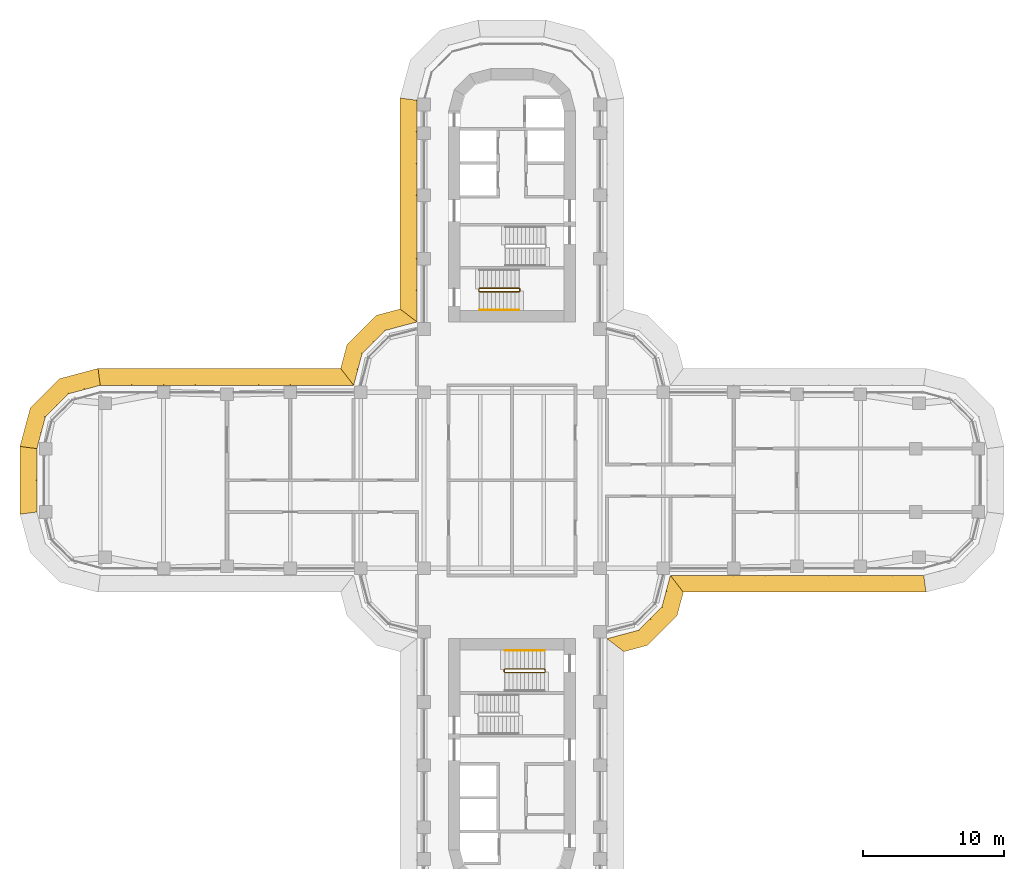
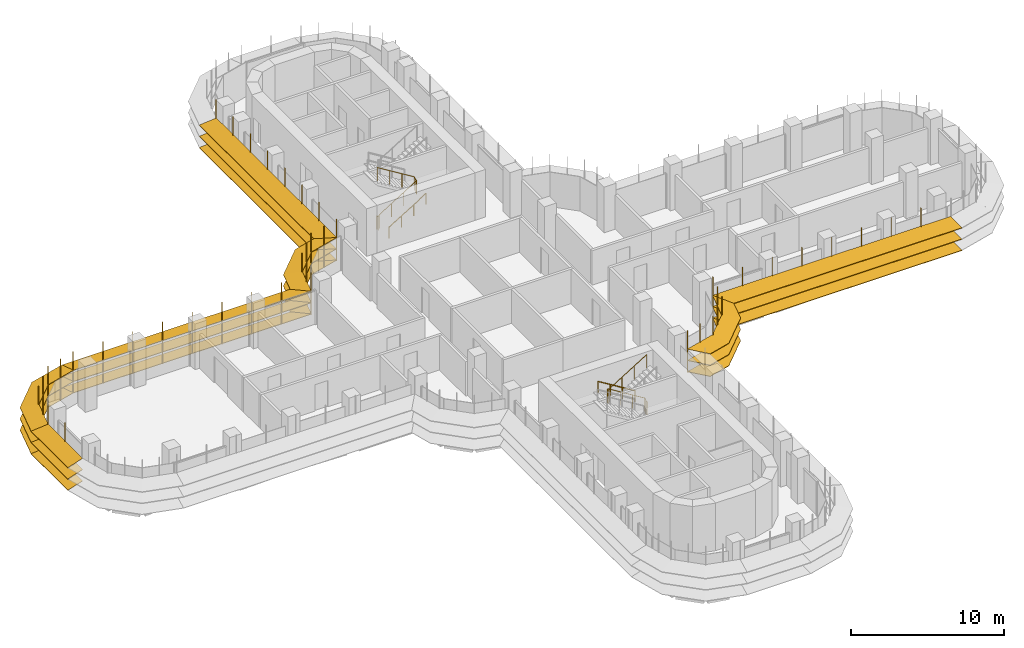
# One storey, part 20 of 22: 7 shading devices, 4 railings.
"""IFC4 building model written with IfcOpenShell, lengths in metres."""

from ifc_helpers import new_model, si_unit, direction, frame, origin, origin_2d, place, context, subcontext, project, spatial, polyline, circle, outline, extrude, faceted_brep, source, transform, mapped, material, type_object, element, save


model = new_model("IFC4")

# Units and contexts
model_context = context("Model", 3, precision=1e-05, world=origin(), true_north=direction((0.0, 1.0)))
body_context = subcontext(model_context, "Body", "Model", "MODEL_VIEW")
ifc_project = project(units=[si_unit("LENGTHUNIT", "METRE"), si_unit("AREAUNIT", "SQUARE_METRE"), si_unit("VOLUMEUNIT", "CUBIC_METRE"), si_unit("PLANEANGLEUNIT", "RADIAN"), si_unit("MASSUNIT", "GRAM", prefix="KILO")], contexts=[model_context])

# Site, building, storey
site_placement = place(None, origin())
site = spatial("IfcSite", under=ifc_project, at=site_placement, CompositionType="ELEMENT")
building_placement = place(site_placement, origin())
building = spatial("IfcBuilding", under=site, at=building_placement, Name="Zarbagh Exchange Tower", CompositionType="ELEMENT")
storey_placement = place(building_placement, frame((0.0, 0.0, 113.199951171875)))
storey = spatial("IfcBuildingStorey", under=building, at=storey_placement, Name="L26", CompositionType="ELEMENT", Elevation=113.199951171875)

# Railings
ifc_material_1 = material(Name="Stainless steel", Category="steel")
railing_type_1 = type_object("IfcRailingType", Name="Stair guard 1100 mm", PredefinedType="GUARDRAIL", material=ifc_material_1)
railing_1_placement = place(storey_placement, frame((-2.35009765625, 13.60009765625, 0.0)))
element("IfcRailing", 1, at=railing_1_placement, inside=storey, type_object=railing_type_1, Name="ST2 stair guard 1", PredefinedType="GUARDRAIL", context=body_context, shape_type="SweptSolid", body=[
    extrude(circle(Radius=0.02392578125, at=origin_2d()), frame((0.0, 0.0, 1.076171875), z_axis=(0.0, -1.0, 0.0), x_axis=(1.0, 0.0, 0.0)), (0.0, 0.0, 1.0), 0.150146484375),
    extrude(circle(Radius=0.02392578125, at=origin_2d()), frame((0.0, -0.150146484375, 1.076171875), z_axis=(0.267953482034, -0.267953482034, 0.925419830635), x_axis=(0.707106781187, 0.707106781187, 0.0)), (0.0, 0.0, 1.0), 0.186767578125),
    extrude(circle(Radius=0.02392578125, at=origin_2d()), frame((0.050048828125, -0.2001953125, 1.2490234375), z_axis=(0.851089632645, 0.0, 0.525020415988), x_axis=(0.0, 1.0, 0.0)), (0.0, 0.0, 1.0), 3.2900390625),
    extrude(circle(Radius=0.02392578125, at=origin_2d()), frame((2.85009765625, -0.2001953125, 2.97607421875), z_axis=(0.707106781187, 0.707106781187, 0.0), x_axis=(-0.707106781187, 0.707106781187, 0.0)), (0.0, 0.0, 1.0), 0.07080078125),
    extrude(circle(Radius=0.02392578125, at=origin_2d()), frame((2.900146484375, -0.150146484375, 2.97607421875), z_axis=(0.0, 1.0, 0.0), x_axis=(-1.0, 0.0, 0.0)), (0.0, 0.0, 1.0), 0.150146484375),
    extrude(circle(Radius=0.02392578125, at=origin_2d()), frame((2.900146484375, 0.0, 2.97607421875), z_axis=(-0.268371968888, 0.267062837333, 0.925556009775), x_axis=(-0.705375805398, -0.708833529934, 0.0)), (0.0, 0.0, 1.0), 0.1865234375),
    extrude(circle(Radius=0.02392578125, at=origin_2d()), frame((2.85009765625, 0.0498046875, 3.14892578125), z_axis=(-0.851089632645, 0.0, 0.525020415988), x_axis=(0.0, -1.0, 0.0)), (0.0, 0.0, 1.0), 3.2900390625),
    extrude(circle(Radius=0.02099609375, at=origin_2d()), origin(), (0.0, 0.0, 1.0), 1.052001953125),
    extrude(circle(Radius=0.02099609375, at=origin_2d()), frame((0.0, -0.150146484375, 0.0)), (0.0, 0.0, 1.0), 1.052001953125),
    extrude(circle(Radius=0.02099609375, at=origin_2d()), frame((0.050048828125, -0.2001953125, 0.1728515625)), (0.0, 0.0, 1.0), 1.052001953125),
    extrude(circle(Radius=0.02099609375, at=origin_2d()), frame((0.9833984375, -0.2001953125, 0.74853515625)), (0.0, 0.0, 1.0), 1.052001953125),
    extrude(circle(Radius=0.02099609375, at=origin_2d()), frame((1.916748046875, -0.2001953125, 1.324462890625)), (0.0, 0.0, 1.0), 1.052001953125),
    extrude(circle(Radius=0.02099609375, at=origin_2d()), frame((2.85009765625, -0.2001953125, 1.900146484375)), (0.0, 0.0, 1.0), 1.052001953125),
    extrude(circle(Radius=0.02099609375, at=origin_2d()), frame((2.900146484375, -0.150146484375, 1.900146484375)), (0.0, 0.0, 1.0), 1.052001953125),
    extrude(circle(Radius=0.02099609375, at=origin_2d()), frame((2.900146484375, 0.0, 1.900146484375)), (0.0, 0.0, 1.0), 1.052001953125),
    extrude(circle(Radius=0.02099609375, at=origin_2d()), frame((2.85009765625, 0.0498046875, 2.07275390625)), (0.0, 0.0, 1.0), 1.052001953125),
    extrude(circle(Radius=0.02099609375, at=origin_2d()), frame((1.916748046875, 0.0498046875, 2.6484375)), (0.0, 0.0, 1.0), 1.052001953125),
    extrude(circle(Radius=0.02099609375, at=origin_2d()), frame((0.9833984375, 0.0498046875, 3.224365234375)), (0.0, 0.0, 1.0), 1.052001953125),
    extrude(circle(Radius=0.02099609375, at=origin_2d()), frame((0.050048828125, 0.0498046875, 3.800048828125)), (0.0, 0.0, 1.0), 1.052001953125),
])
railing_2_placement = place(storey_placement, frame((2.35009765625, -13.60009765625, 0.0)))
element("IfcRailing", 2, at=railing_2_placement, inside=storey, type_object=railing_type_1, Name="ST4 stair guard 1", PredefinedType="GUARDRAIL", context=body_context, shape_type="SweptSolid", body=[
    extrude(circle(Radius=0.02392578125, at=origin_2d()), frame((0.0, 0.0, 1.076171875), z_axis=(0.0, 1.0, 0.0), x_axis=(-1.0, 0.0, 0.0)), (0.0, 0.0, 1.0), 0.150146484375),
    extrude(circle(Radius=0.02392578125, at=origin_2d()), frame((0.0, 0.150146484375, 1.076171875), z_axis=(-0.267953482034, 0.267953482034, 0.925419830635), x_axis=(-0.707106781187, -0.707106781187, 0.0)), (0.0, 0.0, 1.0), 0.186767578125),
    extrude(circle(Radius=0.02392578125, at=origin_2d()), frame((-0.050048828125, 0.2001953125, 1.2490234375), z_axis=(-0.851089632645, 0.0, 0.525020415988), x_axis=(0.0, -1.0, 0.0)), (0.0, 0.0, 1.0), 3.2900390625),
    extrude(circle(Radius=0.02392578125, at=origin_2d()), frame((-2.85009765625, 0.2001953125, 2.97607421875), z_axis=(-0.707106781187, -0.707106781187, 0.0), x_axis=(0.707106781187, -0.707106781187, 0.0)), (0.0, 0.0, 1.0), 0.07080078125),
    extrude(circle(Radius=0.02392578125, at=origin_2d()), frame((-2.900146484375, 0.150146484375, 2.97607421875), z_axis=(0.0, -1.0, 0.0), x_axis=(1.0, 0.0, 0.0)), (0.0, 0.0, 1.0), 0.150146484375),
    extrude(circle(Radius=0.02392578125, at=origin_2d()), frame((-2.900146484375, 0.0, 2.97607421875), z_axis=(0.268371968888, -0.267062837333, 0.925556009775), x_axis=(0.705375805398, 0.708833529934, 0.0)), (0.0, 0.0, 1.0), 0.1865234375),
    extrude(circle(Radius=0.02392578125, at=origin_2d()), frame((-2.85009765625, -0.0498046875, 3.14892578125), z_axis=(0.851089632645, 0.0, 0.525020415988), x_axis=(0.0, 1.0, 0.0)), (0.0, 0.0, 1.0), 3.2900390625),
    extrude(circle(Radius=0.02099609375, at=origin_2d()), origin(), (0.0, 0.0, 1.0), 1.052001953125),
    extrude(circle(Radius=0.02099609375, at=origin_2d()), frame((0.0, 0.150146484375, 0.0)), (0.0, 0.0, 1.0), 1.052001953125),
    extrude(circle(Radius=0.02099609375, at=origin_2d()), frame((-0.050048828125, 0.2001953125, 0.1728515625)), (0.0, 0.0, 1.0), 1.052001953125),
    extrude(circle(Radius=0.02099609375, at=origin_2d()), frame((-0.9833984375, 0.2001953125, 0.74853515625)), (0.0, 0.0, 1.0), 1.052001953125),
    extrude(circle(Radius=0.02099609375, at=origin_2d()), frame((-1.916748046875, 0.2001953125, 1.324462890625)), (0.0, 0.0, 1.0), 1.052001953125),
    extrude(circle(Radius=0.02099609375, at=origin_2d()), frame((-2.85009765625, 0.2001953125, 1.900146484375)), (0.0, 0.0, 1.0), 1.052001953125),
    extrude(circle(Radius=0.02099609375, at=origin_2d()), frame((-2.900146484375, 0.150146484375, 1.900146484375)), (0.0, 0.0, 1.0), 1.052001953125),
    extrude(circle(Radius=0.02099609375, at=origin_2d()), frame((-2.900146484375, 0.0, 1.900146484375)), (0.0, 0.0, 1.0), 1.052001953125),
    extrude(circle(Radius=0.02099609375, at=origin_2d()), frame((-2.85009765625, -0.0498046875, 2.07275390625)), (0.0, 0.0, 1.0), 1.052001953125),
    extrude(circle(Radius=0.02099609375, at=origin_2d()), frame((-1.916748046875, -0.0498046875, 2.6484375)), (0.0, 0.0, 1.0), 1.052001953125),
    extrude(circle(Radius=0.02099609375, at=origin_2d()), frame((-0.9833984375, -0.0498046875, 3.224365234375)), (0.0, 0.0, 1.0), 1.052001953125),
    extrude(circle(Radius=0.02099609375, at=origin_2d()), frame((-0.050048828125, -0.0498046875, 3.800048828125)), (0.0, 0.0, 1.0), 1.052001953125),
])
railing_type_2 = type_object("IfcRailingType", Name="Stair handrail 900 mm", PredefinedType="HANDRAIL", material=ifc_material_1)
railing_3_placement = place(storey_placement, frame((-2.300048828125, 12.10009765625, 0.1728515625)))
element("IfcRailing", 3, at=railing_3_placement, inside=storey, type_object=railing_type_2, Name="ST2 stair handrail 1", PredefinedType="HANDRAIL", context=body_context, shape_type="SweptSolid", body=[
    extrude(circle(Radius=0.02392578125, at=origin_2d()), frame((0.0, 0.0, 0.8759765625), z_axis=(0.851089632645, 0.0, 0.525020415988), x_axis=(0.0, 1.0, 0.0)), (0.0, 0.0, 1.0), 3.2900390625),
    extrude(circle(Radius=0.02099609375, at=origin_2d()), origin(), (0.0, 0.0, 1.0), 0.851806640625),
    extrude(circle(Radius=0.02099609375, at=origin_2d()), frame((0.933349609375, 0.0, 0.57568359375)), (0.0, 0.0, 1.0), 0.851806640625),
    extrude(circle(Radius=0.02099609375, at=origin_2d()), frame((1.86669921875, 0.0, 1.151611328125)), (0.0, 0.0, 1.0), 0.851806640625),
    extrude(circle(Radius=0.02099609375, at=origin_2d()), frame((2.800048828125, 0.0, 1.727294921875)), (0.0, 0.0, 1.0), 0.851806640625),
])
railing_4_placement = place(storey_placement, frame((2.300048828125, -12.10009765625, 0.1728515625)))
element("IfcRailing", 4, at=railing_4_placement, inside=storey, type_object=railing_type_2, Name="ST4 stair handrail 1", PredefinedType="HANDRAIL", context=body_context, shape_type="SweptSolid", body=[
    extrude(circle(Radius=0.02392578125, at=origin_2d()), frame((0.0, 0.0, 0.8759765625), z_axis=(-0.851089632645, 0.0, 0.525020415988), x_axis=(0.0, -1.0, 0.0)), (0.0, 0.0, 1.0), 3.2900390625),
    extrude(circle(Radius=0.02099609375, at=origin_2d()), origin(), (0.0, 0.0, 1.0), 0.851806640625),
    extrude(circle(Radius=0.02099609375, at=origin_2d()), frame((-0.933349609375, 0.0, 0.57568359375)), (0.0, 0.0, 1.0), 0.851806640625),
    extrude(circle(Radius=0.02099609375, at=origin_2d()), frame((-1.86669921875, 0.0, 1.151611328125)), (0.0, 0.0, 1.0), 0.851806640625),
    extrude(circle(Radius=0.02099609375, at=origin_2d()), frame((-2.800048828125, 0.0, 1.727294921875)), (0.0, 0.0, 1.0), 0.851806640625),
])

# Shading devices
ifc_material_2 = material(Name="Anodised aluminium blades and brackets", Category="aluminium")
shading_device_type = type_object("IfcShadingDeviceType", Name="SUNSHADE louvre band, 11.25 degree blades", PredefinedType="JALOUSIE", material=ifc_material_2)
shared_shape_1 = source(origin(), body_context, "Body", "Brep", [
    faceted_brep([(0.0, 0.0, 0.0), (0.0, 0.0, -0.040771484375), (-0.157958984375, -1.199951171875, -0.279541015625), (-0.157958984375, -1.199951171875, -0.23876953125), (2.65087890625, -1.199951171875, -0.23876953125), (2.65087890625, -1.199951171875, -0.279541015625), (2.329345703125, 0.0, -0.040771484375), (2.329345703125, 0.0, 0.0)], [[[0, 1, 2, 3]], [[4, 5, 6, 7]], [[0, 7, 6, 1]], [[1, 6, 5, 2]], [[2, 5, 4, 3]], [[3, 4, 7, 0]]]),
])
shared_shape_2 = source(origin(), body_context, "Body", "Brep", [
    faceted_brep([(0.0, 0.0, 0.0), (0.0, 0.0, -0.040771484375), (-0.321533203125, -1.199951171875, -0.279541015625), (-0.321533203125, -1.199951171875, -0.23876953125), (2.65087890625, -1.199951171875, -0.23876953125), (2.65087890625, -1.199951171875, -0.279541015625), (2.329345703125, 0.0, -0.040771484375), (2.329345703125, 0.0, 0.0)], [[[0, 1, 2, 3]], [[4, 5, 6, 7]], [[0, 7, 6, 1]], [[1, 6, 5, 2]], [[2, 5, 4, 3]], [[3, 4, 7, 0]]]),
])
shared_shape_3 = source(origin(), body_context, "Body", "Brep", [
    faceted_brep([(0.0, 0.0, 0.0), (0.0, 0.0, -0.040771484375), (-0.321533203125, -1.199951171875, -0.279541015625), (-0.321533203125, -1.199951171875, -0.23876953125), (2.4873046875, -1.199951171875, -0.23876953125), (2.4873046875, -1.199951171875, -0.279541015625), (2.329345703125, 0.0, -0.040771484375), (2.329345703125, 0.0, 0.0)], [[[0, 1, 2, 3]], [[4, 5, 6, 7]], [[0, 7, 6, 1]], [[1, 6, 5, 2]], [[2, 5, 4, 3]], [[3, 4, 7, 0]]]),
])
shared_shape_4 = source(origin(), body_context, "Body", "SweptSolid", [
    extrude(outline(polyline([(0.0, -0.012451171875), (0.06005859375, -0.012451171875), (0.06005859375, 0.012451171875), (0.0, 0.012451171875), (0.0, -0.012451171875)])), origin(), (0.0, 0.0, 1.0), 3.350830078125),
])
placement = place(storey_placement, origin())
element("IfcShadingDevice", 5, at=placement, inside=storey, type_object=shading_device_type, Name="SS17 sunshade band", PredefinedType="JALOUSIE", context=body_context, shape_type="MappedRepresentation", body=[
    mapped(shared_shape_1, transform((-29.25, 6.75, 2.300048828125), x_axis=(-0.965924289636, -0.258824779902, 0.0), y_axis=(0.258824779902, -0.965924289636, 0.0), z_axis=(0.0, 0.0, 1.0))),
    mapped(shared_shape_1, transform((-29.25, 6.75, 1.400146484375), x_axis=(-0.965924289636, -0.258824779902, 0.0), y_axis=(0.258824779902, -0.965924289636, 0.0), z_axis=(0.0, 0.0, 1.0))),
    mapped(shared_shape_1, transform((-29.25, 6.75, 0.5), x_axis=(-0.965924289636, -0.258824779902, 0.0), y_axis=(0.258824779902, -0.965924289636, 0.0), z_axis=(0.0, 0.0, 1.0))),
    mapped(shared_shape_2, transform((-31.5, 6.147216796875, 2.300048828125), x_axis=(-0.707106781187, -0.707106781187, 0.0), y_axis=(0.707106781187, -0.707106781187, 0.0), z_axis=(0.0, 0.0, 1.0))),
    mapped(shared_shape_2, transform((-31.5, 6.147216796875, 1.400146484375), x_axis=(-0.707106781187, -0.707106781187, 0.0), y_axis=(0.707106781187, -0.707106781187, 0.0), z_axis=(0.0, 0.0, 1.0))),
    mapped(shared_shape_2, transform((-31.5, 6.147216796875, 0.5), x_axis=(-0.707106781187, -0.707106781187, 0.0), y_axis=(0.707106781187, -0.707106781187, 0.0), z_axis=(0.0, 0.0, 1.0))),
    mapped(shared_shape_3, transform((-33.147216796875, 4.5, 2.300048828125), x_axis=(-0.258824779902, -0.965924289636, 0.0), y_axis=(0.965924289636, -0.258824779902, 0.0), z_axis=(0.0, 0.0, 1.0))),
    mapped(shared_shape_3, transform((-33.147216796875, 4.5, 1.400146484375), x_axis=(-0.258824779902, -0.965924289636, 0.0), y_axis=(0.965924289636, -0.258824779902, 0.0), z_axis=(0.0, 0.0, 1.0))),
    mapped(shared_shape_3, transform((-33.147216796875, 4.5, 0.5), x_axis=(-0.258824779902, -0.965924289636, 0.0), y_axis=(0.965924289636, -0.258824779902, 0.0), z_axis=(0.0, 0.0, 1.0))),
    mapped(shared_shape_4, transform((-29.25, 6.75, 0.42919921875), x_axis=(-0.130529263012, 0.991444457092, 0.0), y_axis=(-0.991444457092, -0.130529263012, 0.0), z_axis=(0.0, 0.0, 1.0))),
    mapped(shared_shape_4, transform((-30.375, 6.448486328125, 0.42919921875), x_axis=(-0.258825058029, 0.96592421511, 0.0), y_axis=(-0.96592421511, -0.258825058029, 0.0), z_axis=(0.0, 0.0, 1.0))),
    mapped(shared_shape_4, transform((-31.5, 6.147216796875, 0.42919921875), x_axis=(-0.50000275701, 0.866023812018, 0.0), y_axis=(-0.866023812018, -0.50000275701, 0.0), z_axis=(0.0, 0.0, 1.0))),
    mapped(shared_shape_4, transform((-32.323486328125, 5.323486328125, 0.42919921875), x_axis=(-0.707106781187, 0.707106781187, 0.0), y_axis=(-0.707106781187, -0.707106781187, 0.0), z_axis=(0.0, 0.0, 1.0))),
    mapped(shared_shape_4, transform((-33.147216796875, 4.5, 0.42919921875), x_axis=(-0.866023812018, 0.50000275701, 0.0), y_axis=(-0.50000275701, -0.866023812018, 0.0), z_axis=(0.0, 0.0, 1.0))),
    mapped(shared_shape_4, transform((-33.448486328125, 3.375, 0.42919921875), x_axis=(-0.96592421511, 0.258825058029, 0.0), y_axis=(-0.258825058029, -0.96592421511, 0.0), z_axis=(0.0, 0.0, 1.0))),
])
shared_shape_5 = source(origin(), body_context, "Body", "Brep", [
    faceted_brep([(0.0, 0.0, 0.0), (0.0, 0.0, -0.040771484375), (0.9208984375, -1.199951171875, -0.279541015625), (0.9208984375, -1.199951171875, -0.23876953125), (2.65087890625, -1.199951171875, -0.23876953125), (2.65087890625, -1.199951171875, -0.279541015625), (2.329345703125, 0.0, -0.040771484375), (2.329345703125, 0.0, 0.0)], [[[0, 1, 2, 3]], [[4, 5, 6, 7]], [[0, 7, 6, 1]], [[1, 6, 5, 2]], [[2, 5, 4, 3]], [[3, 4, 7, 0]]]),
])
shared_shape_6 = source(origin(), body_context, "Body", "Brep", [
    faceted_brep([(0.0, 0.0, 0.0), (0.0, 0.0, -0.040771484375), (-0.321533203125, -1.199951171875, -0.279541015625), (-0.321533203125, -1.199951171875, -0.23876953125), (1.40869140625, -1.199951171875, -0.23876953125), (1.40869140625, -1.199951171875, -0.279541015625), (2.329345703125, 0.0, -0.040771484375), (2.329345703125, 0.0, 0.0)], [[[0, 1, 2, 3]], [[4, 5, 6, 7]], [[0, 7, 6, 1]], [[1, 6, 5, 2]], [[2, 5, 4, 3]], [[3, 4, 7, 0]]]),
])
element("IfcShadingDevice", 6, at=placement, inside=storey, type_object=shading_device_type, Name="SS03 sunshade band", PredefinedType="JALOUSIE", context=body_context, shape_type="MappedRepresentation", body=[
    mapped(shared_shape_5, transform((6.75, -11.25, 2.300048828125), x_axis=(0.965924289636, 0.258824779902, 0.0), y_axis=(-0.258824779902, 0.965924289636, 0.0), z_axis=(0.0, 0.0, 1.0))),
    mapped(shared_shape_5, transform((6.75, -11.25, 1.400146484375), x_axis=(0.965924289636, 0.258824779902, 0.0), y_axis=(-0.258824779902, 0.965924289636, 0.0), z_axis=(0.0, 0.0, 1.0))),
    mapped(shared_shape_5, transform((6.75, -11.25, 0.5), x_axis=(0.965924289636, 0.258824779902, 0.0), y_axis=(-0.258824779902, 0.965924289636, 0.0), z_axis=(0.0, 0.0, 1.0))),
    mapped(shared_shape_2, transform((9.0, -10.647216796875, 2.300048828125), x_axis=(0.707106781187, 0.707106781187, 0.0), y_axis=(-0.707106781187, 0.707106781187, 0.0), z_axis=(0.0, 0.0, 1.0))),
    mapped(shared_shape_2, transform((9.0, -10.647216796875, 1.400146484375), x_axis=(0.707106781187, 0.707106781187, 0.0), y_axis=(-0.707106781187, 0.707106781187, 0.0), z_axis=(0.0, 0.0, 1.0))),
    mapped(shared_shape_2, transform((9.0, -10.647216796875, 0.5), x_axis=(0.707106781187, 0.707106781187, 0.0), y_axis=(-0.707106781187, 0.707106781187, 0.0), z_axis=(0.0, 0.0, 1.0))),
    mapped(shared_shape_6, transform((10.647216796875, -9.0, 2.300048828125), x_axis=(0.258824779902, 0.965924289636, 0.0), y_axis=(-0.965924289636, 0.258824779902, 0.0), z_axis=(0.0, 0.0, 1.0))),
    mapped(shared_shape_6, transform((10.647216796875, -9.0, 1.400146484375), x_axis=(0.258824779902, 0.965924289636, 0.0), y_axis=(-0.965924289636, 0.258824779902, 0.0), z_axis=(0.0, 0.0, 1.0))),
    mapped(shared_shape_6, transform((10.647216796875, -9.0, 0.5), x_axis=(0.258824779902, 0.965924289636, 0.0), y_axis=(-0.965924289636, 0.258824779902, 0.0), z_axis=(0.0, 0.0, 1.0))),
    mapped(shared_shape_4, transform((6.75, -11.25, 0.42919921875), x_axis=(0.793355287, -0.608758892, 0.0), y_axis=(0.608758892, 0.793355287, 0.0), z_axis=(0.0, 0.0, 1.0))),
    mapped(shared_shape_4, transform((7.875, -10.948486328125, 0.42919921875), x_axis=(0.258825058029, -0.96592421511, 0.0), y_axis=(0.96592421511, 0.258825058029, 0.0), z_axis=(0.0, 0.0, 1.0))),
    mapped(shared_shape_4, transform((9.0, -10.647216796875, 0.42919921875), x_axis=(0.50000275701, -0.866023812018, 0.0), y_axis=(0.866023812018, 0.50000275701, 0.0), z_axis=(0.0, 0.0, 1.0))),
    mapped(shared_shape_4, transform((9.823486328125, -9.823486328125, 0.42919921875), x_axis=(0.707106781187, -0.707106781187, 0.0), y_axis=(0.707106781187, 0.707106781187, 0.0), z_axis=(0.0, 0.0, 1.0))),
    mapped(shared_shape_4, transform((10.647216796875, -9.0, 0.42919921875), x_axis=(0.866023812018, -0.50000275701, 0.0), y_axis=(0.50000275701, 0.866023812018, 0.0), z_axis=(0.0, 0.0, 1.0))),
    mapped(shared_shape_4, transform((10.948486328125, -7.875, 0.42919921875), x_axis=(0.96592421511, -0.258825058029, 0.0), y_axis=(0.258825058029, 0.96592421511, 0.0), z_axis=(0.0, 0.0, 1.0))),
])
element("IfcShadingDevice", 7, at=placement, inside=storey, type_object=shading_device_type, Name="SS15 sunshade band", PredefinedType="JALOUSIE", context=body_context, shape_type="MappedRepresentation", body=[
    mapped(shared_shape_5, transform((-6.75, 11.25, 2.300048828125), x_axis=(-0.965924289636, -0.258824779902, 0.0), y_axis=(0.258824779902, -0.965924289636, 0.0), z_axis=(0.0, 0.0, 1.0))),
    mapped(shared_shape_5, transform((-6.75, 11.25, 1.400146484375), x_axis=(-0.965924289636, -0.258824779902, 0.0), y_axis=(0.258824779902, -0.965924289636, 0.0), z_axis=(0.0, 0.0, 1.0))),
    mapped(shared_shape_5, transform((-6.75, 11.25, 0.5), x_axis=(-0.965924289636, -0.258824779902, 0.0), y_axis=(0.258824779902, -0.965924289636, 0.0), z_axis=(0.0, 0.0, 1.0))),
    mapped(shared_shape_2, transform((-9.0, 10.647216796875, 2.300048828125), x_axis=(-0.707106781187, -0.707106781187, 0.0), y_axis=(0.707106781187, -0.707106781187, 0.0), z_axis=(0.0, 0.0, 1.0))),
    mapped(shared_shape_2, transform((-9.0, 10.647216796875, 1.400146484375), x_axis=(-0.707106781187, -0.707106781187, 0.0), y_axis=(0.707106781187, -0.707106781187, 0.0), z_axis=(0.0, 0.0, 1.0))),
    mapped(shared_shape_2, transform((-9.0, 10.647216796875, 0.5), x_axis=(-0.707106781187, -0.707106781187, 0.0), y_axis=(0.707106781187, -0.707106781187, 0.0), z_axis=(0.0, 0.0, 1.0))),
    mapped(shared_shape_6, transform((-10.647216796875, 9.0, 2.300048828125), x_axis=(-0.258824779902, -0.965924289636, 0.0), y_axis=(0.965924289636, -0.258824779902, 0.0), z_axis=(0.0, 0.0, 1.0))),
    mapped(shared_shape_6, transform((-10.647216796875, 9.0, 1.400146484375), x_axis=(-0.258824779902, -0.965924289636, 0.0), y_axis=(0.965924289636, -0.258824779902, 0.0), z_axis=(0.0, 0.0, 1.0))),
    mapped(shared_shape_6, transform((-10.647216796875, 9.0, 0.5), x_axis=(-0.258824779902, -0.965924289636, 0.0), y_axis=(0.965924289636, -0.258824779902, 0.0), z_axis=(0.0, 0.0, 1.0))),
    mapped(shared_shape_4, transform((-6.75, 11.25, 0.42919921875), x_axis=(-0.793355287, 0.608758892, 0.0), y_axis=(-0.608758892, -0.793355287, 0.0), z_axis=(0.0, 0.0, 1.0))),
    mapped(shared_shape_4, transform((-7.875, 10.948486328125, 0.42919921875), x_axis=(-0.258825058029, 0.96592421511, 0.0), y_axis=(-0.96592421511, -0.258825058029, 0.0), z_axis=(0.0, 0.0, 1.0))),
    mapped(shared_shape_4, transform((-9.0, 10.647216796875, 0.42919921875), x_axis=(-0.50000275701, 0.866023812018, 0.0), y_axis=(-0.866023812018, -0.50000275701, 0.0), z_axis=(0.0, 0.0, 1.0))),
    mapped(shared_shape_4, transform((-9.823486328125, 9.823486328125, 0.42919921875), x_axis=(-0.707106781187, 0.707106781187, 0.0), y_axis=(-0.707106781187, -0.707106781187, 0.0), z_axis=(0.0, 0.0, 1.0))),
    mapped(shared_shape_4, transform((-10.647216796875, 9.0, 0.42919921875), x_axis=(-0.866023812018, 0.50000275701, 0.0), y_axis=(-0.50000275701, -0.866023812018, 0.0), z_axis=(0.0, 0.0, 1.0))),
    mapped(shared_shape_4, transform((-10.948486328125, 7.875, 0.42919921875), x_axis=(-0.96592421511, 0.258825058029, 0.0), y_axis=(-0.258825058029, -0.96592421511, 0.0), z_axis=(0.0, 0.0, 1.0))),
])
shared_shape_7 = source(origin(), body_context, "Body", "Brep", [
    faceted_brep([(0.0, 0.0, 0.0), (0.0, 0.0, -0.040771484375), (0.9208984375, -1.199951171875, -0.279541015625), (0.9208984375, -1.199951171875, -0.23876953125), (18.157958984375, -1.199951171875, -0.23876953125), (18.157958984375, -1.199951171875, -0.279541015625), (18.0, 0.0, -0.040771484375), (18.0, 0.0, 0.0)], [[[0, 1, 2, 3]], [[4, 5, 6, 7]], [[0, 7, 6, 1]], [[1, 6, 5, 2]], [[2, 5, 4, 3]], [[3, 4, 7, 0]]]),
])
element("IfcShadingDevice", 8, at=placement, inside=storey, type_object=shading_device_type, Name="SS04 sunshade band", PredefinedType="JALOUSIE", context=body_context, shape_type="MappedRepresentation", body=[
    mapped(shared_shape_7, transform((11.25, -6.75, 2.300048828125), x_axis=(1.0, 0.0, 0.0), y_axis=(0.0, 1.0, 0.0), z_axis=(0.0, 0.0, 1.0))),
    mapped(shared_shape_7, transform((11.25, -6.75, 1.400146484375), x_axis=(1.0, 0.0, 0.0), y_axis=(0.0, 1.0, 0.0), z_axis=(0.0, 0.0, 1.0))),
    mapped(shared_shape_7, transform((11.25, -6.75, 0.5), x_axis=(1.0, 0.0, 0.0), y_axis=(0.0, 1.0, 0.0), z_axis=(0.0, 0.0, 1.0))),
    mapped(shared_shape_4, transform((11.25, -6.75, 0.42919921875), x_axis=(0.608758892, -0.793355287, 0.0), y_axis=(0.793355287, 0.608758892, 0.0), z_axis=(0.0, 0.0, 1.0))),
    mapped(shared_shape_4, transform((13.5, -6.75, 0.42919921875), x_axis=(0.0, -1.0, 0.0), y_axis=(1.0, 0.0, 0.0), z_axis=(0.0, 0.0, 1.0))),
    mapped(shared_shape_4, transform((15.75, -6.75, 0.42919921875), x_axis=(0.0, -1.0, 0.0), y_axis=(1.0, 0.0, 0.0), z_axis=(0.0, 0.0, 1.0))),
    mapped(shared_shape_4, transform((18.0, -6.75, 0.42919921875), x_axis=(0.0, -1.0, 0.0), y_axis=(1.0, 0.0, 0.0), z_axis=(0.0, 0.0, 1.0))),
    mapped(shared_shape_4, transform((20.25, -6.75, 0.42919921875), x_axis=(0.0, -1.0, 0.0), y_axis=(1.0, 0.0, 0.0), z_axis=(0.0, 0.0, 1.0))),
    mapped(shared_shape_4, transform((22.5, -6.75, 0.42919921875), x_axis=(0.0, -1.0, 0.0), y_axis=(1.0, 0.0, 0.0), z_axis=(0.0, 0.0, 1.0))),
    mapped(shared_shape_4, transform((24.75, -6.75, 0.42919921875), x_axis=(0.0, -1.0, 0.0), y_axis=(1.0, 0.0, 0.0), z_axis=(0.0, 0.0, 1.0))),
    mapped(shared_shape_4, transform((27.0, -6.75, 0.42919921875), x_axis=(0.0, -1.0, 0.0), y_axis=(1.0, 0.0, 0.0), z_axis=(0.0, 0.0, 1.0))),
])
shared_shape_8 = source(origin(), body_context, "Body", "Brep", [
    faceted_brep([(0.0, 0.0, 0.0), (0.0, 0.0, -0.040771484375), (-0.157958984375, -1.199951171875, -0.279541015625), (-0.157958984375, -1.199951171875, -0.23876953125), (14.8291015625, -1.199951171875, -0.23876953125), (14.8291015625, -1.199951171875, -0.279541015625), (15.75, 0.0, -0.040771484375), (15.75, 0.0, 0.0)], [[[0, 1, 2, 3]], [[4, 5, 6, 7]], [[0, 7, 6, 1]], [[1, 6, 5, 2]], [[2, 5, 4, 3]], [[3, 4, 7, 0]]]),
])
element("IfcShadingDevice", 9, at=placement, inside=storey, type_object=shading_device_type, Name="SS29 sunshade band", PredefinedType="JALOUSIE", context=body_context, shape_type="MappedRepresentation", body=[
    mapped(shared_shape_8, transform((-6.75, 27.0, 2.300048828125), x_axis=(0.0, -1.0, 0.0), y_axis=(1.0, 0.0, 0.0), z_axis=(0.0, 0.0, 1.0))),
    mapped(shared_shape_8, transform((-6.75, 27.0, 1.400146484375), x_axis=(0.0, -1.0, 0.0), y_axis=(1.0, 0.0, 0.0), z_axis=(0.0, 0.0, 1.0))),
    mapped(shared_shape_8, transform((-6.75, 27.0, 0.5), x_axis=(0.0, -1.0, 0.0), y_axis=(1.0, 0.0, 0.0), z_axis=(0.0, 0.0, 1.0))),
    mapped(shared_shape_4, transform((-6.75, 27.0, 0.42919921875), x_axis=(-0.991444457092, 0.130529263012, 0.0), y_axis=(-0.130529263012, -0.991444457092, 0.0), z_axis=(0.0, 0.0, 1.0))),
    mapped(shared_shape_4, transform((-6.75, 24.75, 0.42919921875), x_axis=(-1.0, 0.0, 0.0), y_axis=(0.0, -1.0, 0.0), z_axis=(0.0, 0.0, 1.0))),
    mapped(shared_shape_4, transform((-6.75, 22.5, 0.42919921875), x_axis=(-1.0, 0.0, 0.0), y_axis=(0.0, -1.0, 0.0), z_axis=(0.0, 0.0, 1.0))),
    mapped(shared_shape_4, transform((-6.75, 20.25, 0.42919921875), x_axis=(-1.0, 0.0, 0.0), y_axis=(0.0, -1.0, 0.0), z_axis=(0.0, 0.0, 1.0))),
    mapped(shared_shape_4, transform((-6.75, 18.0, 0.42919921875), x_axis=(-1.0, 0.0, 0.0), y_axis=(0.0, -1.0, 0.0), z_axis=(0.0, 0.0, 1.0))),
    mapped(shared_shape_4, transform((-6.75, 15.75, 0.42919921875), x_axis=(-1.0, 0.0, 0.0), y_axis=(0.0, -1.0, 0.0), z_axis=(0.0, 0.0, 1.0))),
    mapped(shared_shape_4, transform((-6.75, 13.5, 0.42919921875), x_axis=(-1.0, 0.0, 0.0), y_axis=(0.0, -1.0, 0.0), z_axis=(0.0, 0.0, 1.0))),
])
element("IfcShadingDevice", 10, at=placement, inside=storey, type_object=shading_device_type, Name="SS16 sunshade band", PredefinedType="JALOUSIE", context=body_context, shape_type="MappedRepresentation", body=[
    mapped(shared_shape_7, transform((-11.25, 6.75, 2.300048828125), x_axis=(-1.0, 0.0, 0.0), y_axis=(0.0, -1.0, 0.0), z_axis=(0.0, 0.0, 1.0))),
    mapped(shared_shape_7, transform((-11.25, 6.75, 1.400146484375), x_axis=(-1.0, 0.0, 0.0), y_axis=(0.0, -1.0, 0.0), z_axis=(0.0, 0.0, 1.0))),
    mapped(shared_shape_7, transform((-11.25, 6.75, 0.5), x_axis=(-1.0, 0.0, 0.0), y_axis=(0.0, -1.0, 0.0), z_axis=(0.0, 0.0, 1.0))),
    mapped(shared_shape_4, transform((-11.25, 6.75, 0.42919921875), x_axis=(-0.608758892, 0.793355287, 0.0), y_axis=(-0.793355287, -0.608758892, 0.0), z_axis=(0.0, 0.0, 1.0))),
    mapped(shared_shape_4, transform((-13.5, 6.75, 0.42919921875), x_axis=(0.0, 1.0, 0.0), y_axis=(-1.0, 0.0, 0.0), z_axis=(0.0, 0.0, 1.0))),
    mapped(shared_shape_4, transform((-15.75, 6.75, 0.42919921875), x_axis=(0.0, 1.0, 0.0), y_axis=(-1.0, 0.0, 0.0), z_axis=(0.0, 0.0, 1.0))),
    mapped(shared_shape_4, transform((-18.0, 6.75, 0.42919921875), x_axis=(0.0, 1.0, 0.0), y_axis=(-1.0, 0.0, 0.0), z_axis=(0.0, 0.0, 1.0))),
    mapped(shared_shape_4, transform((-20.25, 6.75, 0.42919921875), x_axis=(0.0, 1.0, 0.0), y_axis=(-1.0, 0.0, 0.0), z_axis=(0.0, 0.0, 1.0))),
    mapped(shared_shape_4, transform((-22.5, 6.75, 0.42919921875), x_axis=(0.0, 1.0, 0.0), y_axis=(-1.0, 0.0, 0.0), z_axis=(0.0, 0.0, 1.0))),
    mapped(shared_shape_4, transform((-24.75, 6.75, 0.42919921875), x_axis=(0.0, 1.0, 0.0), y_axis=(-1.0, 0.0, 0.0), z_axis=(0.0, 0.0, 1.0))),
    mapped(shared_shape_4, transform((-27.0, 6.75, 0.42919921875), x_axis=(0.0, 1.0, 0.0), y_axis=(-1.0, 0.0, 0.0), z_axis=(0.0, 0.0, 1.0))),
])
shared_shape_9 = source(origin(), body_context, "Body", "Brep", [
    faceted_brep([(0.0, 0.0, 0.0), (0.0, 0.0, -0.040771484375), (-0.157958984375, -1.199951171875, -0.279541015625), (-0.157958984375, -1.199951171875, -0.23876953125), (4.657958984375, -1.199951171875, -0.23876953125), (4.657958984375, -1.199951171875, -0.279541015625), (4.5, 0.0, -0.040771484375), (4.5, 0.0, 0.0)], [[[0, 1, 2, 3]], [[4, 5, 6, 7]], [[0, 7, 6, 1]], [[1, 6, 5, 2]], [[2, 5, 4, 3]], [[3, 4, 7, 0]]]),
])
element("IfcShadingDevice", 11, at=placement, inside=storey, type_object=shading_device_type, Name="SS18 sunshade band", PredefinedType="JALOUSIE", context=body_context, shape_type="MappedRepresentation", body=[
    mapped(shared_shape_9, transform((-33.75, 2.25, 2.300048828125), x_axis=(0.0, -1.0, 0.0), y_axis=(1.0, 0.0, 0.0), z_axis=(0.0, 0.0, 1.0))),
    mapped(shared_shape_9, transform((-33.75, 2.25, 1.400146484375), x_axis=(0.0, -1.0, 0.0), y_axis=(1.0, 0.0, 0.0), z_axis=(0.0, 0.0, 1.0))),
    mapped(shared_shape_9, transform((-33.75, 2.25, 0.5), x_axis=(0.0, -1.0, 0.0), y_axis=(1.0, 0.0, 0.0), z_axis=(0.0, 0.0, 1.0))),
    mapped(shared_shape_4, transform((-33.75, 2.25, 0.42919921875), x_axis=(-0.991444457092, 0.130529263012, 0.0), y_axis=(-0.130529263012, -0.991444457092, 0.0), z_axis=(0.0, 0.0, 1.0))),
    mapped(shared_shape_4, transform((-33.75, 0.0, 0.42919921875), x_axis=(-1.0, 0.0, 0.0), y_axis=(0.0, -1.0, 0.0), z_axis=(0.0, 0.0, 1.0))),
])

save(model, "model.ifc")
